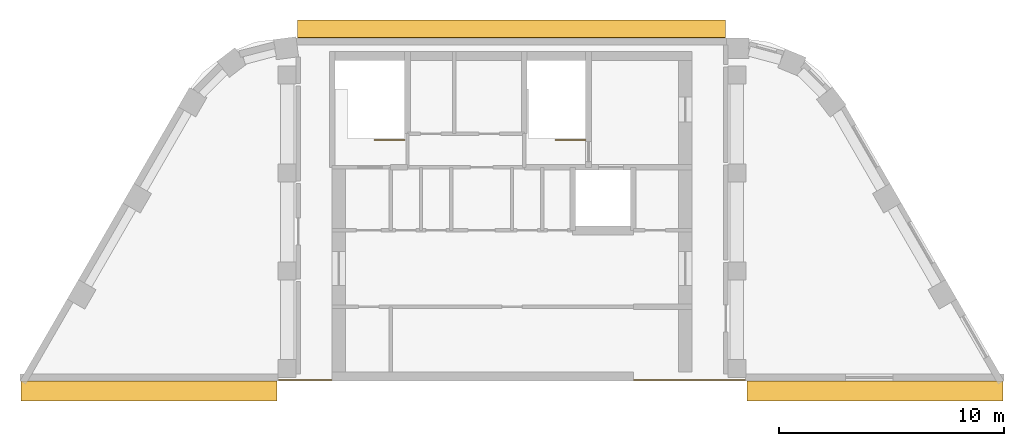
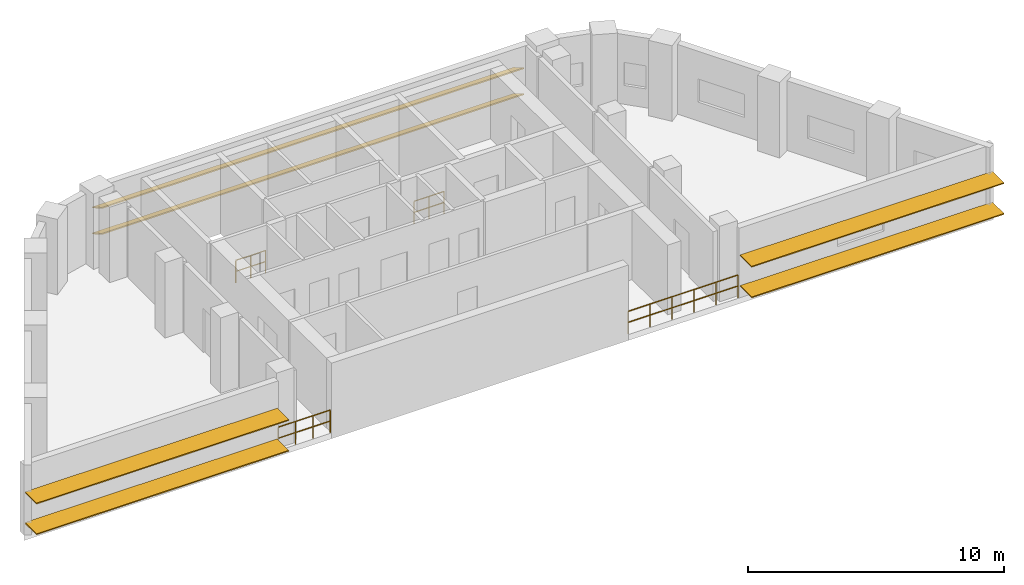
# One storey, part 4 of 4: 6 shading devices, 4 railings.
"""IFC4 building model written with IfcOpenShell, lengths in metres."""

from ifc_helpers import new_model, si_unit, direction, frame, origin, origin_2d, place, context, subcontext, project, spatial, rectangle, circle, extrude, material, material_profile, profile_set, type_object, element, save


model = new_model("IFC4")

# Units and contexts
model_context = context("Model", 3, precision=1e-05, world=origin(), true_north=direction((0.0, 1.0)))
body_context = subcontext(model_context, "Body", "Model", "MODEL_VIEW")
ifc_project = project(units=[si_unit("LENGTHUNIT", "METRE"), si_unit("AREAUNIT", "SQUARE_METRE"), si_unit("VOLUMEUNIT", "CUBIC_METRE"), si_unit("PLANEANGLEUNIT", "RADIAN"), si_unit("MASSUNIT", "GRAM", prefix="KILO")], contexts=[model_context])

# Site, building, storey
site_placement = place(None, origin())
site = spatial("IfcSite", under=ifc_project, at=site_placement, CompositionType="ELEMENT")
building_placement = place(site_placement, origin())
building = spatial("IfcBuilding", under=site, at=building_placement, Name="Nakaniwa Court", CompositionType="ELEMENT")
storey_placement = place(building_placement, frame((0.0, 0.0, 294.0)))
storey = spatial("IfcBuildingStorey", under=building, at=storey_placement, Name="C07", CompositionType="ELEMENT", Elevation=294.0)

# Shading devices
ifc_material_1 = material(Name="Perforated charcoal ceramic louvre blade")
ifc_material_profile = material_profile(ifc_material_1, rectangle(XDim=0.89990234375, YDim=0.050048828125, at=origin_2d()), Name="Perforated ceramic louvre blade")
ifc_profile_set = profile_set([ifc_material_profile], Name="Perforated charcoal ceramic louvre blade")
shading_device_type = type_object("IfcShadingDeviceType", Name="Perforated ceramic louvre blade", PredefinedType="JALOUSIE", material=ifc_profile_set)
for number, where, z_axis, x_axis, name in (
    (1, (58.16845703125, 86.949951171875, 0.550048828125), (1.0, 0.0, 0.0), (0.0, 1.0, 0.0), "C07 perforated ceramic louvre blade w02 1"),
    (2, (58.16845703125, 86.949951171875, 2.014892578125), (1.0, 0.0, 0.0), (0.0, 1.0, 0.0), "C07 perforated ceramic louvre blade w02 2"),
    (3, (90.446044921875, 86.949951171875, 0.550048828125), (1.0, 0.0, 0.0), (0.0, 1.0, 0.0), "C07 perforated ceramic louvre blade w03 1"),
    (4, (90.446044921875, 86.949951171875, 2.014892578125), (1.0, 0.0, 0.0), (0.0, 1.0, 0.0), "C07 perforated ceramic louvre blade w03 2"),
):
    element("IfcShadingDevice", number, at=place(storey_placement, frame(where, z_axis=z_axis, x_axis=x_axis)), inside=storey, type_object=shading_device_type, Name=name, PredefinedType="JALOUSIE", context=body_context, shape_type="SweptSolid", body=[
        extrude(rectangle(XDim=0.89990234375, YDim=0.050048828125, at=origin_2d()), origin(), (0.0, 0.0, 1.0), 11.385498046875),
    ])
for number, where, z_axis, x_axis, name in (
    (5, (89.499267578125, 103.05224609375, 0.550048828125), (-1.0, 0.0, 0.0), (0.0, -0.866025403784, 0.5), "C07 perforated ceramic louvre blade w09 1"),
    (6, (89.499267578125, 103.05224609375, 1.793212890625), (-1.0, 0.0, 0.0), (0.0, -0.866025403784, 0.5), "C07 perforated ceramic louvre blade w09 2"),
):
    element("IfcShadingDevice", number, at=place(storey_placement, frame(where, z_axis=z_axis, x_axis=x_axis)), inside=storey, type_object=shading_device_type, Name=name, PredefinedType="JALOUSIE", context=body_context, shape_type="SweptSolid", body=[
        extrude(rectangle(XDim=0.89990234375, YDim=0.050048828125, at=origin_2d()), origin(), (0.0, 0.0, 1.0), 19.03369140625),
    ])

# Railings
ifc_material_2 = material(Name="Black powder coated steel guard", Category="steel")
railing_type = type_object("IfcRailingType", Name="Stair guard 1100", PredefinedType="GUARDRAIL", material=ifc_material_2)
railing_1_placement = place(storey_placement, frame((75.22509765625, 98.125, 0.0)))
element("IfcRailing", 7, at=railing_1_placement, inside=storey, type_object=railing_type, Name="C07 ST1 top well guard 1", PredefinedType="GUARDRAIL", context=body_context, shape_type="SweptSolid", body=[
    extrude(circle(Radius=0.02392578125, at=origin_2d()), frame((0.0, 0.0, 1.076171875), z_axis=(-1.0, 0.0, 0.0), x_axis=(0.0, -1.0, 0.0)), (0.0, 0.0, 1.0), 1.35009765625),
    extrude(circle(Radius=0.02392578125, at=origin_2d()), frame((0.0, 0.0, 0.550048828125), z_axis=(-1.0, 0.0, 0.0), x_axis=(0.0, -1.0, 0.0)), (0.0, 0.0, 1.0), 1.35009765625),
    extrude(circle(Radius=0.02099609375, at=origin_2d()), origin(), (0.0, 0.0, 1.0), 1.052001953125),
    extrude(circle(Radius=0.02099609375, at=origin_2d()), frame((-0.675048828125, 0.0, 0.0)), (0.0, 0.0, 1.0), 1.052001953125),
    extrude(circle(Radius=0.02099609375, at=origin_2d()), frame((-1.35009765625, 0.0, 0.0)), (0.0, 0.0, 1.0), 1.052001953125),
])
railing_2_placement = place(storey_placement, frame((83.27490234375, 98.125, 0.0)))
element("IfcRailing", 8, at=railing_2_placement, inside=storey, type_object=railing_type, Name="C07 ST2 top well guard 1", PredefinedType="GUARDRAIL", context=body_context, shape_type="SweptSolid", body=[
    extrude(circle(Radius=0.02392578125, at=origin_2d()), frame((0.0, 0.0, 1.076171875), z_axis=(-1.0, 0.0, 0.0), x_axis=(0.0, -1.0, 0.0)), (0.0, 0.0, 1.0), 1.349853515625),
    extrude(circle(Radius=0.02392578125, at=origin_2d()), frame((0.0, 0.0, 0.550048828125), z_axis=(-1.0, 0.0, 0.0), x_axis=(0.0, -1.0, 0.0)), (0.0, 0.0, 1.0), 1.349853515625),
    extrude(circle(Radius=0.02099609375, at=origin_2d()), origin(), (0.0, 0.0, 1.0), 1.052001953125),
    extrude(circle(Radius=0.02099609375, at=origin_2d()), frame((-0.6748046875, 0.0, 0.0)), (0.0, 0.0, 1.0), 1.052001953125),
    extrude(circle(Radius=0.02099609375, at=origin_2d()), frame((-1.349853515625, 0.0, 0.0)), (0.0, 0.0, 1.0), 1.052001953125),
])
railing_3_placement = place(storey_placement, frame((69.625244140625, 87.449951171875, 0.0)))
element("IfcRailing", 9, at=railing_3_placement, inside=storey, type_object=railing_type, Name="GUARD GD-C07-179", PredefinedType="GUARDRAIL", context=body_context, shape_type="SweptSolid", body=[
    extrude(circle(Radius=0.02392578125, at=origin_2d()), frame((0.0, 0.0, 1.076171875), z_axis=(1.0, 0.0, 0.0), x_axis=(0.0, 1.0, 0.0)), (0.0, 0.0, 1.0), 2.34912109375),
    extrude(circle(Radius=0.02392578125, at=origin_2d()), frame((0.0, 0.0, 0.550048828125), z_axis=(1.0, 0.0, 0.0), x_axis=(0.0, 1.0, 0.0)), (0.0, 0.0, 1.0), 2.34912109375),
    extrude(circle(Radius=0.02099609375, at=origin_2d()), origin(), (0.0, 0.0, 1.0), 1.052001953125),
    extrude(circle(Radius=0.02099609375, at=origin_2d()), frame((0.782958984375, 0.0, 0.0)), (0.0, 0.0, 1.0), 1.052001953125),
    extrude(circle(Radius=0.02099609375, at=origin_2d()), frame((1.566162109375, 0.0, 0.0)), (0.0, 0.0, 1.0), 1.052001953125),
    extrude(circle(Radius=0.02099609375, at=origin_2d()), frame((2.34912109375, 0.0, 0.0)), (0.0, 0.0, 1.0), 1.052001953125),
])
railing_4_placement = place(storey_placement, frame((85.419189453125, 87.449951171875, 0.0)))
element("IfcRailing", 10, at=railing_4_placement, inside=storey, type_object=railing_type, Name="GUARD GD-C07-180", PredefinedType="GUARDRAIL", context=body_context, shape_type="SweptSolid", body=[
    extrude(circle(Radius=0.02392578125, at=origin_2d()), frame((0.0, 0.0, 1.076171875), z_axis=(1.0, 0.0, 0.0), x_axis=(0.0, 1.0, 0.0)), (0.0, 0.0, 1.0), 4.95556640625),
    extrude(circle(Radius=0.02392578125, at=origin_2d()), frame((0.0, 0.0, 0.550048828125), z_axis=(1.0, 0.0, 0.0), x_axis=(0.0, 1.0, 0.0)), (0.0, 0.0, 1.0), 4.95556640625),
    extrude(circle(Radius=0.02099609375, at=origin_2d()), origin(), (0.0, 0.0, 1.0), 1.052001953125),
    extrude(circle(Radius=0.02099609375, at=origin_2d()), frame((0.9912109375, 0.0, 0.0)), (0.0, 0.0, 1.0), 1.052001953125),
    extrude(circle(Radius=0.02099609375, at=origin_2d()), frame((1.982177734375, 0.0, 0.0)), (0.0, 0.0, 1.0), 1.052001953125),
    extrude(circle(Radius=0.02099609375, at=origin_2d()), frame((2.973388671875, 0.0, 0.0)), (0.0, 0.0, 1.0), 1.052001953125),
    extrude(circle(Radius=0.02099609375, at=origin_2d()), frame((3.96435546875, 0.0, 0.0)), (0.0, 0.0, 1.0), 1.052001953125),
    extrude(circle(Radius=0.02099609375, at=origin_2d()), frame((4.95556640625, 0.0, 0.0)), (0.0, 0.0, 1.0), 1.052001953125),
])

save(model, "model.ifc")
